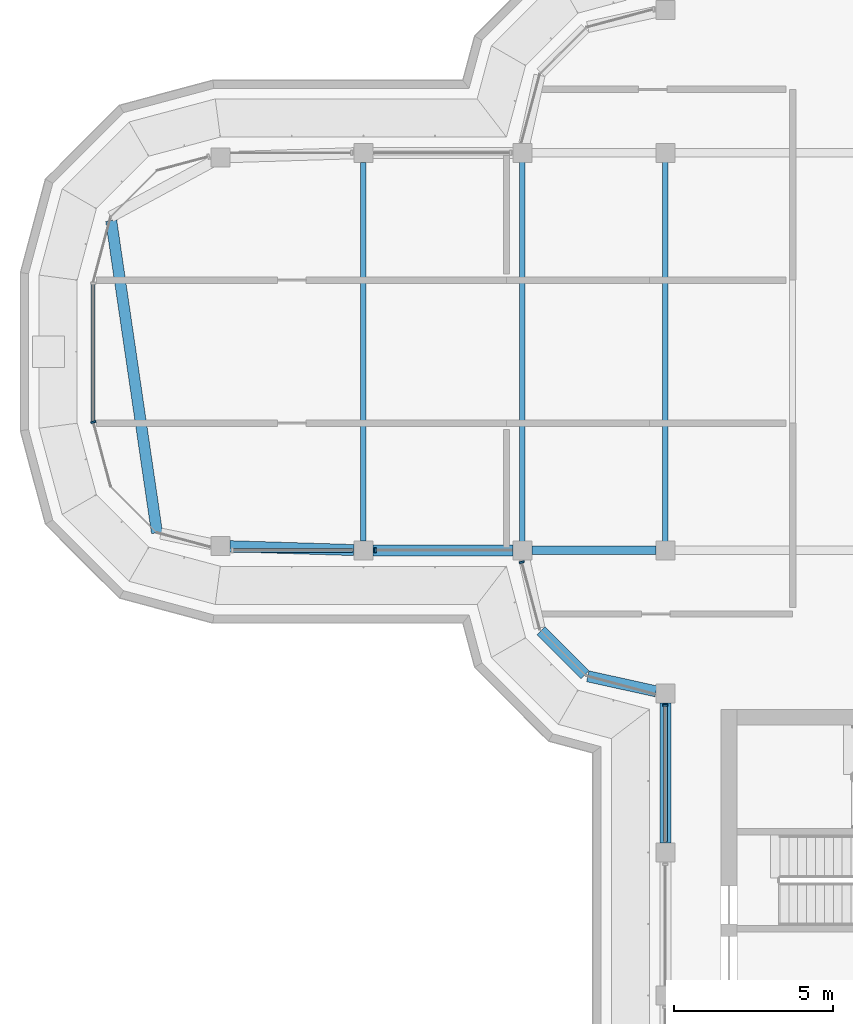
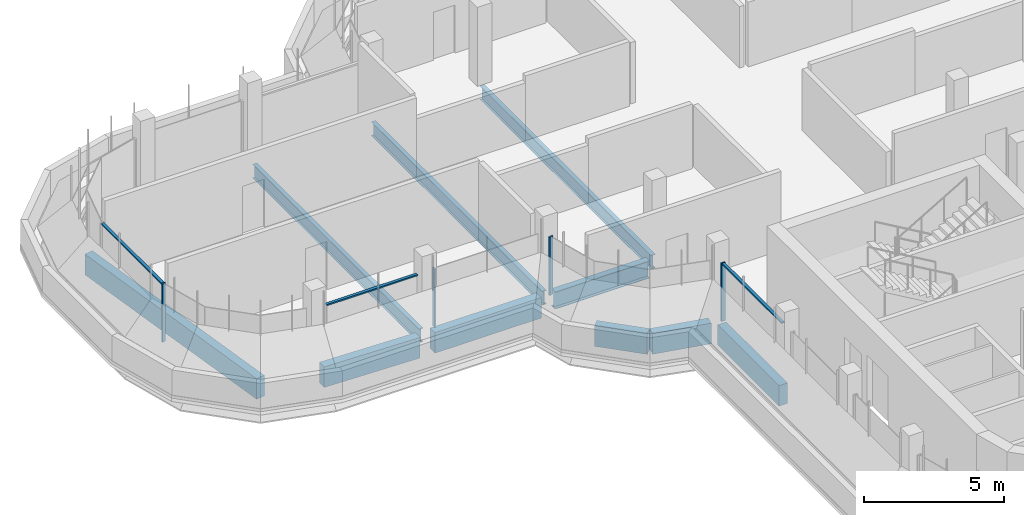
# One storey, part 3 of 19: 10 beams, 7 members, 5 elements without a shape of their own.
"""IFC4 building model written with IfcOpenShell, lengths in metres."""

from ifc_helpers import new_model, si_unit, direction, frame, origin, origin_2d, place, context, subcontext, project, spatial, polyline, rectangle, i_section, outline, extrude, source, transform, mapped, material, material_profile, profile_set, type_object, element, aggregate, save


model = new_model("IFC4")

# Units and contexts
model_context = context("Model", 3, precision=1e-05, world=origin(), true_north=direction((0.0, 1.0)))
body_context = subcontext(model_context, "Body", "Model", "MODEL_VIEW")
ifc_project = project(units=[si_unit("LENGTHUNIT", "METRE"), si_unit("AREAUNIT", "SQUARE_METRE"), si_unit("VOLUMEUNIT", "CUBIC_METRE"), si_unit("PLANEANGLEUNIT", "RADIAN"), si_unit("MASSUNIT", "GRAM", prefix="KILO")], contexts=[model_context])

# Site, building, storey
site_placement = place(None, origin())
site = spatial("IfcSite", under=ifc_project, at=site_placement, CompositionType="ELEMENT")
building_placement = place(site_placement, origin())
building = spatial("IfcBuilding", under=site, at=building_placement, Name="Zarbagh Exchange Tower", CompositionType="ELEMENT")
storey_placement = place(building_placement, frame((0.0, 0.0, 295.199951171875)))
storey = spatial("IfcBuildingStorey", under=building, at=storey_placement, Name="L72", CompositionType="ELEMENT", Elevation=295.199951171875)

# Beams
ifc_material_1 = material(Name="Steel ASTM A992 Gr 50", Category="steel")
ifc_material_profile_1 = material_profile(ifc_material_1, i_section(OverallWidth=0.1787109375, OverallDepth=0.60205078125, WebThickness=0.010986328125, FlangeThickness=0.014892578125, at=origin_2d()), Name="W24X62")
ifc_profile_set_1 = profile_set([ifc_material_profile_1], Name="Steel ASTM A992 Gr 50")
beam_type_1 = type_object("IfcBeamType", Name="Floor beam W24X62", PredefinedType="BEAM", material=ifc_profile_set_1)
for number, where, z_axis, x_axis, name in (
    (1, (-10.75, -6.117919921875, -0.450927734375), (0.0, 1.0, 0.0), (-1.0, 0.0, 0.0), "Steel floor beam"),
    (2, (-6.25, -6.117919921875, -0.450927734375), (0.0, 1.0, 0.0), (-1.0, 0.0, 0.0), "Steel floor beam"),
):
    element("IfcBeam", number, at=place(storey_placement, frame(where, z_axis=z_axis, x_axis=x_axis)), inside=storey, type_object=beam_type_1, Name=name, PredefinedType="BEAM", context=body_context, shape_type="SweptSolid", body=[
        extrude(i_section(OverallWidth=0.1787109375, OverallDepth=0.60205078125, WebThickness=0.010986328125, FlangeThickness=0.014892578125, at=origin_2d()), origin(), (0.0, 0.0, 1.0), 12.23583984375),
    ])
beam_1_placement = place(storey_placement, frame((-15.75, -5.949951171875, -0.450927734375), z_axis=(0.0, 1.0, 0.0), x_axis=(-1.0, 0.0, 0.0)))
element("IfcBeam", 3, at=beam_1_placement, inside=storey, type_object=beam_type_1, Name="Steel floor beam", PredefinedType="BEAM", context=body_context, shape_type="SweptSolid", body=[
    extrude(i_section(OverallWidth=0.1787109375, OverallDepth=0.60205078125, WebThickness=0.010986328125, FlangeThickness=0.014892578125, at=origin_2d()), origin(), (0.0, 0.0, 1.0), 11.89990234375),
])
ifc_material_profile_2 = material_profile(ifc_material_1, i_section(OverallWidth=0.26416015625, OverallDepth=0.749267578125, WebThickness=0.011962890625, FlangeThickness=0.015380859375, at=origin_2d()), Name="W30X90")
ifc_profile_set_2 = profile_set([ifc_material_profile_2], Name="Steel ASTM A992 Gr 50")
beam_type_2 = type_object("IfcBeamType", Name="Floor girder W30X90", PredefinedType="BEAM", material=ifc_profile_set_2)
beam_2_placement = place(storey_placement, frame((-10.449951171875, -6.25, -0.524658203125), z_axis=(1.0, 0.0, 0.0), x_axis=(0.0, 1.0, 0.0)))
element("IfcBeam", 4, at=beam_2_placement, inside=storey, type_object=beam_type_2, Name="Steel girder", PredefinedType="BEAM", context=body_context, shape_type="SweptSolid", body=[
    extrude(i_section(OverallWidth=0.26416015625, OverallDepth=0.749267578125, WebThickness=0.011962890625, FlangeThickness=0.015380859375, at=origin_2d()), origin(), (0.0, 0.0, 1.0), 3.89990234375),
])
ifc_material_2 = material(Name="Concrete C40/50", Category="concrete")
ifc_material_profile_3 = material_profile(ifc_material_2, rectangle(XDim=0.35009765625, YDim=0.89990234375, at=origin_2d()), Name="RC spandrel beam 350 x 900 C40/50")
ifc_profile_set_3 = profile_set([ifc_material_profile_3], Name="Concrete C40/50")
beam_type_3 = type_object("IfcBeamType", Name="RC spandrel beam 350 x 900 C40/50", PredefinedType="SPANDREL", material=ifc_profile_set_3)
beam_3_placement = place(storey_placement, frame((-6.25, -15.449951171875, -0.599853515625), z_axis=(0.0, 1.0, 0.0), x_axis=(-1.0, 0.0, 0.0)))
element("IfcBeam", 5, at=beam_3_placement, inside=storey, type_object=beam_type_3, Name="RC spandrel beam", PredefinedType="SPANDREL", context=body_context, shape_type="SweptSolid", body=[
    extrude(rectangle(XDim=0.35009765625, YDim=0.89990234375, at=origin_2d()), origin(), (0.0, 0.0, 1.0), 4.39990234375),
])
beam_4_placement = place(storey_placement, frame((-6.54296875, -10.685302734375, -0.599853515625), z_axis=(-0.976387662047, 0.216025770228, 0.0), x_axis=(-0.216025770228, -0.976387662047, 0.0)))
element("IfcBeam", 6, at=beam_4_placement, inside=storey, type_object=beam_type_3, Name="RC spandrel beam", PredefinedType="SPANDREL", context=body_context, shape_type="SweptSolid", body=[
    extrude(rectangle(XDim=0.35009765625, YDim=0.89990234375, at=origin_2d()), origin(), (0.0, 0.0, 1.0), 2.200439453125),
])
beam_5_placement = place(storey_placement, frame((-8.77734375, -10.16259765625, -0.599853515625), z_axis=(-0.707106781187, 0.707106781187, 0.0), x_axis=(-0.707106781187, -0.707106781187, 0.0)))
element("IfcBeam", 7, at=beam_5_placement, inside=storey, type_object=beam_type_3, Name="RC spandrel beam", PredefinedType="SPANDREL", context=body_context, shape_type="SweptSolid", body=[
    extrude(rectangle(XDim=0.35009765625, YDim=0.89990234375, at=origin_2d()), origin(), (0.0, 0.0, 1.0), 1.958984375),
])
beam_6_placement = place(storey_placement, frame((-11.050048828125, -6.25, -0.599853515625), z_axis=(-1.0, 0.0, 0.0), x_axis=(0.0, -1.0, 0.0)))
element("IfcBeam", 8, at=beam_6_placement, inside=storey, type_object=beam_type_3, Name="RC spandrel beam", PredefinedType="SPANDREL", context=body_context, shape_type="SweptSolid", body=[
    extrude(rectangle(XDim=0.35009765625, YDim=0.89990234375, at=origin_2d()), origin(), (0.0, 0.0, 1.0), 4.39990234375),
])
beam_7_placement = place(storey_placement, frame((-16.0498046875, -6.24072265625, -0.599853515625), z_axis=(-0.999516460907, 0.031094121249, 0.0), x_axis=(-0.031094121249, -0.999516460907, 0.0)))
element("IfcBeam", 9, at=beam_7_placement, inside=storey, type_object=beam_type_3, Name="RC spandrel beam", PredefinedType="SPANDREL", context=body_context, shape_type="SweptSolid", body=[
    extrude(rectangle(XDim=0.35009765625, YDim=0.89990234375, at=origin_2d()), origin(), (0.0, 0.0, 1.0), 3.90234375),
])
beam_8_placement = place(storey_placement, frame((-22.2412109375, -5.69873046875, -0.599853515625), z_axis=(-0.145098774103, 0.989417174782, 0.0), x_axis=(-0.989417174782, -0.145098774103, 0.0)))
element("IfcBeam", 10, at=beam_8_placement, inside=storey, type_object=beam_type_3, Name="RC spandrel beam", PredefinedType="SPANDREL", context=body_context, shape_type="SweptSolid", body=[
    extrude(rectangle(XDim=0.35009765625, YDim=0.89990234375, at=origin_2d()), origin(), (0.0, 0.0, 1.0), 9.923828125),
])

# Curtain wall, member
ifc_material_3 = material(Name="Anodised aluminium frame and glazing", Category="aluminium")
curtain_wall_type = type_object("IfcCurtainWallType", Name="CWF Crown tier glazing", PredefinedType="NOTDEFINED", material=ifc_material_3)
curtain_wall_1_placement = place(storey_placement, origin())
curtain_wall_1 = element("IfcCurtainWall", 11, at=curtain_wall_1_placement, inside=storey, type_object=curtain_wall_type, Name="CWF35 curtain wall", PredefinedType="NOTDEFINED")
ifc_material_4 = material(Name="Anodised aluminium frame", Category="aluminium")
member_type_1 = type_object("IfcMemberType", Name="TRF Transom, anodised aluminium frame", PredefinedType="USERDEFINED", material=ifc_material_4)
shared_shape_1 = source(origin(), body_context, "Body", "SweptSolid", [
    extrude(outline(polyline([(-0.06005859375, -0.06005859375), (0.0, -0.06005859375), (0.0, 0.06005859375), (-0.06005859375, 0.06005859375), (-0.06005859375, -0.06005859375)])), origin(), (0.0, 0.0, 1.0), 4.308349609375),
])
placement = place(storey_placement, origin())
member_1 = element("IfcMember", 12, at=placement, type_object=member_type_1, Name="CWF35 transom 1.1", ObjectType="TRANSOM", PredefinedType="USERDEFINED", context=body_context, shape_type="MappedRepresentation", body=[
    mapped(shared_shape_1, transform((-24.25, 2.124267578125, 2.550048828125), x_axis=(0.0, 0.0, 1.0), y_axis=(-1.0, 0.0, 0.0), z_axis=(0.0, -1.0, 0.0))),
])
aggregate(curtain_wall_1, [member_1])

curtain_wall_2_placement = place(storey_placement, origin())
curtain_wall_2 = element("IfcCurtainWall", 13, at=curtain_wall_2_placement, inside=storey, type_object=curtain_wall_type, Name="CWF43 curtain wall", PredefinedType="NOTDEFINED")
shared_shape_2 = source(origin(), body_context, "Body", "SweptSolid", [
    extrude(outline(polyline([(-0.06005859375, -0.06005859375), (0.0, -0.06005859375), (0.0, 0.06005859375), (-0.06005859375, 0.06005859375), (-0.06005859375, -0.06005859375)])), origin(), (0.0, 0.0, 1.0), 4.260009765625),
])
member_2 = element("IfcMember", 14, at=placement, type_object=member_type_1, Name="CWF43 transom 1.1", ObjectType="TRANSOM", PredefinedType="USERDEFINED", context=body_context, shape_type="MappedRepresentation", body=[
    mapped(shared_shape_2, transform((-6.25, -11.150146484375, 2.550048828125), x_axis=(0.0, 0.0, 1.0), y_axis=(-1.0, 0.0, 0.0), z_axis=(0.0, -1.0, 0.0))),
])

curtain_wall_3_placement = place(storey_placement, origin())
curtain_wall_3 = element("IfcCurtainWall", 15, at=curtain_wall_3_placement, inside=storey, type_object=curtain_wall_type, Name="CWF39 curtain wall", PredefinedType="NOTDEFINED")
shared_shape_3 = source(origin(), body_context, "Body", "SweptSolid", [
    extrude(outline(polyline([(-0.06005859375, -0.06005859375), (0.0, -0.06005859375), (0.0, 0.06005859375), (-0.06005859375, 0.06005859375), (-0.06005859375, -0.06005859375)])), origin(), (0.0, 0.0, 1.0), 3.760009765625),
])
member_3 = element("IfcMember", 16, at=placement, type_object=member_type_1, Name="CWF39 transom 1.1", ObjectType="TRANSOM", PredefinedType="USERDEFINED", context=body_context, shape_type="MappedRepresentation", body=[
    mapped(shared_shape_3, transform((-19.849853515625, -6.25, 2.550048828125), x_axis=(0.0, 0.0, 1.0), y_axis=(0.0, -1.0, 0.0), z_axis=(1.0, 0.0, 0.0))),
])

curtain_wall_4_placement = place(storey_placement, origin())
curtain_wall_4 = element("IfcCurtainWall", 17, at=curtain_wall_4_placement, inside=storey, type_object=curtain_wall_type, Name="CWF36 curtain wall", PredefinedType="NOTDEFINED")
member_type_2 = type_object("IfcMemberType", Name="MUF Mullion, anodised aluminium frame", PredefinedType="MULLION", material=ifc_material_4)
shared_shape_4 = source(origin(), body_context, "Body", "SweptSolid", [
    extrude(outline(polyline([(0.0, -0.080078125), (0.06005859375, -0.080078125), (0.06005859375, 0.080078125), (0.0, 0.080078125), (0.0, -0.080078125)])), origin(), (0.0, 0.0, 1.0), 2.550048828125),
])
member_4 = element("IfcMember", 18, at=placement, type_object=member_type_2, Name="CWF36 mullion 1.1", PredefinedType="MULLION", context=body_context, shape_type="MappedRepresentation", body=[
    mapped(shared_shape_4, transform((-24.25, -2.18408203125, 0.0), x_axis=(0.258824779902, -0.965924289636, 0.0), y_axis=(0.965924289636, 0.258824779902, 0.0), z_axis=(0.0, 0.0, 1.0))),
])
aggregate(curtain_wall_4, [member_4])

# Member
member_5 = element("IfcMember", 19, at=placement, type_object=member_type_2, Name="CWF39 mullion 2.1", PredefinedType="MULLION", context=body_context, shape_type="MappedRepresentation", body=[
    mapped(shared_shape_4, transform((-15.409912109375, -6.25, 0.0), x_axis=(1.0, 0.0, 0.0), y_axis=(0.0, 1.0, 0.0), z_axis=(0.0, 0.0, 1.0))),
])

aggregate(curtain_wall_3, [member_3, member_5])

# Curtain wall, member
curtain_wall_5_placement = place(storey_placement, origin())
curtain_wall_5 = element("IfcCurtainWall", 20, at=curtain_wall_5_placement, inside=storey, type_object=curtain_wall_type, Name="CWF40 curtain wall", PredefinedType="NOTDEFINED")
member_6 = element("IfcMember", 21, at=placement, type_object=member_type_2, Name="CWF40 mullion 1.1", PredefinedType="MULLION", context=body_context, shape_type="MappedRepresentation", body=[
    mapped(shared_shape_4, transform((-10.775146484375, -6.590087890625, 0.0), x_axis=(0.258824779902, -0.965924289636, 0.0), y_axis=(0.965924289636, 0.258824779902, 0.0), z_axis=(0.0, 0.0, 1.0))),
])
aggregate(curtain_wall_5, [member_6])

# Member
member_7 = element("IfcMember", 22, at=placement, type_object=member_type_2, Name="CWF43 mullion 1.1", PredefinedType="MULLION", context=body_context, shape_type="MappedRepresentation", body=[
    mapped(shared_shape_4, transform((-6.25, -11.090087890625, 0.0), x_axis=(0.0, -1.0, 0.0), y_axis=(1.0, 0.0, 0.0), z_axis=(0.0, 0.0, 1.0))),
])

aggregate(curtain_wall_2, [member_7, member_2])

save(model, "model.ifc")
